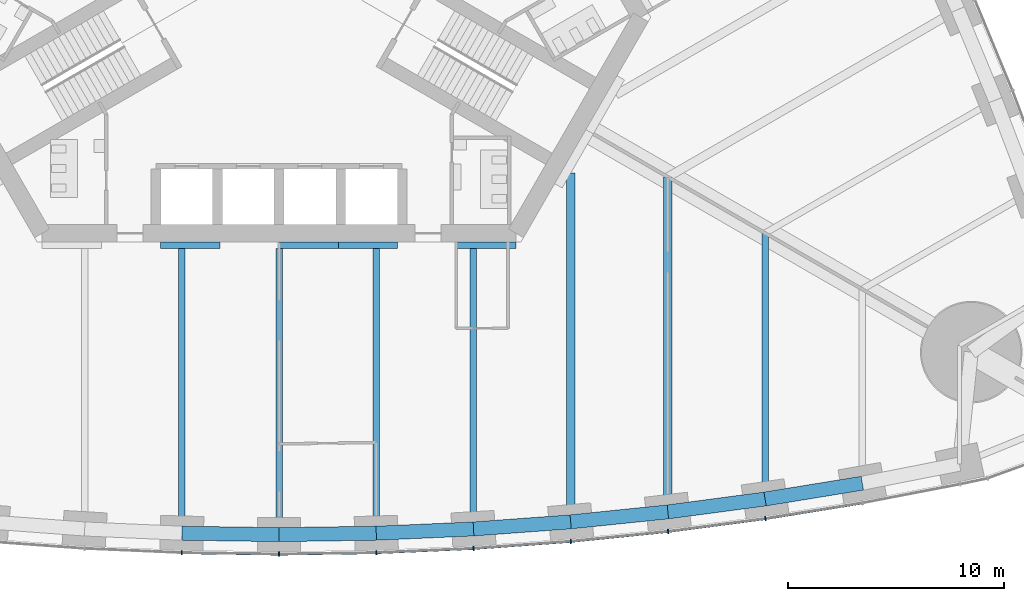
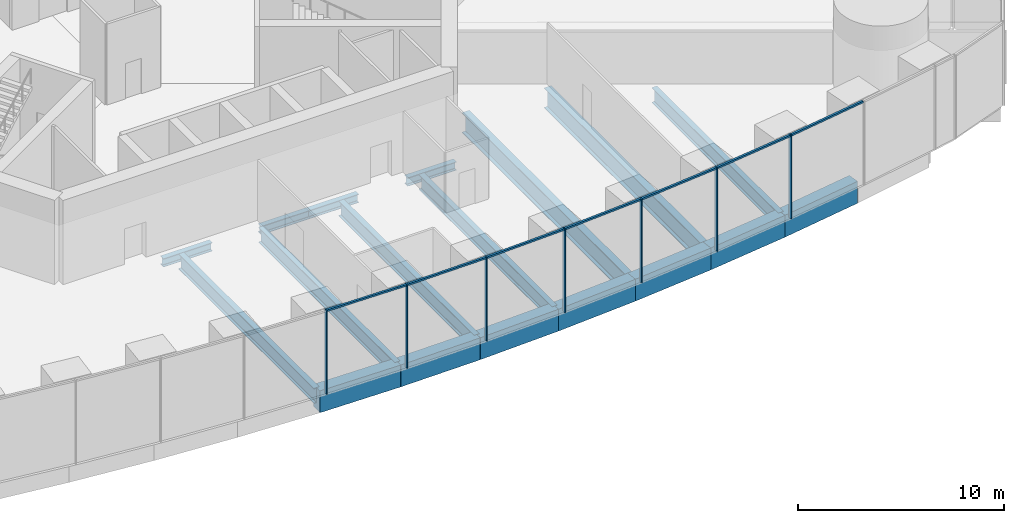
# One storey, part 5 of 21: 18 beams, 14 members, 1 element without a shape of its own.
"""IFC4 building model written with IfcOpenShell, lengths in metres."""

from ifc_helpers import new_model, si_unit, direction, frame, origin, origin_2d, place, context, subcontext, project, spatial, rectangle, i_section, extrude, material, material_profile, profile_set, type_object, element, aggregate, save


model = new_model("IFC4")

# Units and contexts
model_context = context("Model", 3, precision=1e-05, world=origin(), true_north=direction((0.0, 1.0)))
body_context = subcontext(model_context, "Body", "Model", "MODEL_VIEW")
ifc_project = project(units=[si_unit("LENGTHUNIT", "METRE"), si_unit("AREAUNIT", "SQUARE_METRE"), si_unit("VOLUMEUNIT", "CUBIC_METRE"), si_unit("PLANEANGLEUNIT", "RADIAN"), si_unit("MASSUNIT", "GRAM", prefix="KILO")], contexts=[model_context])

# Site, building, storey
site_placement = place(None, origin())
site = spatial("IfcSite", under=ifc_project, at=site_placement, CompositionType="ELEMENT")
building_placement = place(site_placement, origin())
building = spatial("IfcBuilding", under=site, at=building_placement, Name="Trefoil Bronze Tower", CompositionType="ELEMENT")
storey_placement = place(building_placement, frame((0.0, 0.0, 6.5)))
storey = spatial("IfcBuildingStorey", under=building, at=storey_placement, Name="L01", CompositionType="ELEMENT", Elevation=6.5)

# Curtain wall, members
ifc_material_1 = material(Name="Tinted solar-control glass", Category="glass")
curtain_wall_type = type_object("IfcCurtainWallType", Name="Bronze podium storefront curtain wall", PredefinedType="USERDEFINED", material=ifc_material_1)
curtain_wall_placement = place(storey_placement, origin())
curtain_wall = element("IfcCurtainWall", 1, at=curtain_wall_placement, inside=storey, type_object=curtain_wall_type, Name="CW-C L01 F1", ObjectType="CURTAIN WALL", PredefinedType="USERDEFINED")
ifc_material_2 = material(Name="Bronze-finish aluminium", Category="aluminium")
ifc_material_profile_1 = material_profile(ifc_material_2, rectangle(XDim=0.199951171875, YDim=0.06005859375, at=origin_2d()), Name="CW-C mullion")
ifc_profile_set_1 = profile_set([ifc_material_profile_1], Name="Bronze-finish aluminium")
member_type_1 = type_object("IfcMemberType", Name="Bronze podium storefront curtain wall mullion", PredefinedType="MULLION", material=ifc_profile_set_1)
member_1_placement = place(storey_placement, frame((-4.5029296875, -27.783447265625, 0.0), z_axis=(0.0, 0.0, 1.0), x_axis=(0.029021671584, 0.999578782577, 0.0)))
member_1 = element("IfcMember", 2, at=member_1_placement, type_object=member_type_1, Name="CW-C L01 F1 mullion 8", PredefinedType="MULLION", context=body_context, shape_type="SweptSolid", body=[
    extrude(rectangle(XDim=0.199951171875, YDim=0.06005859375, at=origin_2d()), origin(), (0.0, 0.0, 1.0), 4.97998046875),
])
member_2_placement = place(storey_placement, frame((0.0, -27.8486328125, 0.0), z_axis=(0.0, 0.0, 1.0), x_axis=(0.0, 1.0, 0.0)))
member_2 = element("IfcMember", 3, at=member_2_placement, type_object=member_type_1, Name="CW-C L01 F1 mullion 9", PredefinedType="MULLION", context=body_context, shape_type="SweptSolid", body=[
    extrude(rectangle(XDim=0.199951171875, YDim=0.06005859375, at=origin_2d()), origin(), (0.0, 0.0, 1.0), 4.97998046875),
])
member_3_placement = place(storey_placement, frame((4.5029296875, -27.783447265625, 0.0), z_axis=(0.0, 0.0, 1.0), x_axis=(-0.029021671584, 0.999578782577, 0.0)))
member_3 = element("IfcMember", 4, at=member_3_placement, type_object=member_type_1, Name="CW-C L01 F1 mullion 10", PredefinedType="MULLION", context=body_context, shape_type="SweptSolid", body=[
    extrude(rectangle(XDim=0.199951171875, YDim=0.06005859375, at=origin_2d()), origin(), (0.0, 0.0, 1.0), 4.97998046875),
])
member_4_placement = place(storey_placement, frame((9.005859375, -27.587158203125, 0.0), z_axis=(0.0, 0.0, 1.0), x_axis=(-0.058043374207, 0.998314062162, 0.0)))
member_4 = element("IfcMember", 5, at=member_4_placement, type_object=member_type_1, Name="CW-C L01 F1 mullion 11", PredefinedType="MULLION", context=body_context, shape_type="SweptSolid", body=[
    extrude(rectangle(XDim=0.199951171875, YDim=0.06005859375, at=origin_2d()), origin(), (0.0, 0.0, 1.0), 4.97998046875),
])
member_5_placement = place(storey_placement, frame((13.5087890625, -27.259765625, 0.0), z_axis=(0.0, 0.0, 1.0), x_axis=(-0.087065139456, 0.996202620701, 0.0)))
member_5 = element("IfcMember", 6, at=member_5_placement, type_object=member_type_1, Name="CW-C L01 F1 mullion 12", PredefinedType="MULLION", context=body_context, shape_type="SweptSolid", body=[
    extrude(rectangle(XDim=0.199951171875, YDim=0.06005859375, at=origin_2d()), origin(), (0.0, 0.0, 1.0), 4.97998046875),
])
member_6_placement = place(storey_placement, frame((18.01171875, -26.800048828125, 0.0), z_axis=(0.0, 0.0, 1.0), x_axis=(-0.116086999973, 0.993239048989, 0.0)))
member_6 = element("IfcMember", 7, at=member_6_placement, type_object=member_type_1, Name="CW-C L01 F1 mullion 13", PredefinedType="MULLION", context=body_context, shape_type="SweptSolid", body=[
    extrude(rectangle(XDim=0.199951171875, YDim=0.06005859375, at=origin_2d()), origin(), (0.0, 0.0, 1.0), 4.97998046875),
])
member_7_placement = place(storey_placement, frame((22.514404296875, -26.206787109375, 0.0), z_axis=(0.0, 0.0, 1.0), x_axis=(-0.145108990094, 0.989415676546, 0.0)))
member_7 = element("IfcMember", 8, at=member_7_placement, type_object=member_type_1, Name="CW-C L01 F1 mullion 14", PredefinedType="MULLION", context=body_context, shape_type="SweptSolid", body=[
    extrude(rectangle(XDim=0.199951171875, YDim=0.06005859375, at=origin_2d()), origin(), (0.0, 0.0, 1.0), 4.97998046875),
])
ifc_material_3 = material(Name="Bronze-finish aluminium", Category="aluminium")
ifc_material_profile_2 = material_profile(ifc_material_3, rectangle(XDim=0.1201171875, YDim=0.10009765625, at=origin_2d()), Name="CW-C transom")
ifc_profile_set_2 = profile_set([ifc_material_profile_2], Name="Bronze-finish aluminium")
member_type_2 = type_object("IfcMemberType", Name="Bronze podium storefront curtain wall transom", PredefinedType="USERDEFINED", material=ifc_profile_set_2)
member_8_placement = place(storey_placement, frame((-4.471435546875, -27.783935546875, 4.929931640625), z_axis=(0.999895446395, -0.014460161795, 0.0), x_axis=(0.014460161795, 0.999895446395, 0.0)))
member_8 = element("IfcMember", 9, at=member_8_placement, type_object=member_type_2, Name="CW-C L01 F1 transom 8", ObjectType="TRANSOM", PredefinedType="USERDEFINED", context=body_context, shape_type="SweptSolid", body=[
    extrude(rectangle(XDim=0.1201171875, YDim=0.10009765625, at=origin_2d()), origin(), (0.0, 0.0, 1.0), 4.4404296875),
])
member_9_placement = place(storey_placement, frame((0.031494140625, -27.84814453125, 4.929931640625), z_axis=(0.999895446395, 0.014460161795, 0.0), x_axis=(-0.014460161795, 0.999895446395, 0.0)))
member_9 = element("IfcMember", 10, at=member_9_placement, type_object=member_type_2, Name="CW-C L01 F1 transom 9", ObjectType="TRANSOM", PredefinedType="USERDEFINED", context=body_context, shape_type="SweptSolid", body=[
    extrude(rectangle(XDim=0.1201171875, YDim=0.10009765625, at=origin_2d()), origin(), (0.0, 0.0, 1.0), 4.4404296875),
])
member_10_placement = place(storey_placement, frame((4.534423828125, -27.781982421875, 4.929931640625), z_axis=(0.999053046251, 0.043508743684, 0.0), x_axis=(-0.043508743684, 0.999053046251, 0.0)))
member_10 = element("IfcMember", 11, at=member_10_placement, type_object=member_type_2, Name="CW-C L01 F1 transom 10", ObjectType="TRANSOM", PredefinedType="USERDEFINED", context=body_context, shape_type="SweptSolid", body=[
    extrude(rectangle(XDim=0.1201171875, YDim=0.10009765625, at=origin_2d()), origin(), (0.0, 0.0, 1.0), 4.444091796875),
])
member_11_placement = place(storey_placement, frame((9.037109375, -27.5849609375, 4.929931640625), z_axis=(0.997364590548, 0.072552556953, 0.0), x_axis=(-0.072552556953, 0.997364590548, 0.0)))
member_11 = element("IfcMember", 12, at=member_11_placement, type_object=member_type_2, Name="CW-C L01 F1 transom 11", ObjectType="TRANSOM", PredefinedType="USERDEFINED", context=body_context, shape_type="SweptSolid", body=[
    extrude(rectangle(XDim=0.1201171875, YDim=0.10009765625, at=origin_2d()), origin(), (0.0, 0.0, 1.0), 4.451904296875),
])
member_12_placement = place(storey_placement, frame((13.5400390625, -27.25634765625, 4.929931640625), z_axis=(0.994833127844, 0.101523631455, 0.0), x_axis=(-0.101523631455, 0.994833127844, 0.0)))
member_12 = element("IfcMember", 13, at=member_12_placement, type_object=member_type_2, Name="CW-C L01 F1 transom 12", ObjectType="TRANSOM", PredefinedType="USERDEFINED", context=body_context, shape_type="SweptSolid", body=[
    extrude(rectangle(XDim=0.1201171875, YDim=0.10009765625, at=origin_2d()), origin(), (0.0, 0.0, 1.0), 4.463134765625),
])
member_13_placement = place(storey_placement, frame((18.042724609375, -26.7958984375, 4.929931640625), z_axis=(0.991435175775, 0.130599740566, 0.0), x_axis=(-0.130599740566, 0.991435175775, 0.0)))
member_13 = element("IfcMember", 14, at=member_13_placement, type_object=member_type_2, Name="CW-C L01 F1 transom 13", ObjectType="TRANSOM", PredefinedType="USERDEFINED", context=body_context, shape_type="SweptSolid", body=[
    extrude(rectangle(XDim=0.1201171875, YDim=0.10009765625, at=origin_2d()), origin(), (0.0, 0.0, 1.0), 4.47900390625),
])
member_14_placement = place(storey_placement, frame((22.545654296875, -26.201904296875, 4.929931640625), z_axis=(0.987178845657, 0.159618065043, 0.0), x_axis=(-0.159618065043, 0.987178845657, 0.0)))
member_14 = element("IfcMember", 15, at=member_14_placement, type_object=member_type_2, Name="CW-C L01 F1 transom 14", ObjectType="TRANSOM", PredefinedType="USERDEFINED", context=body_context, shape_type="SweptSolid", body=[
    extrude(rectangle(XDim=0.1201171875, YDim=0.10009765625, at=origin_2d()), origin(), (0.0, 0.0, 1.0), 4.498291015625),
])
aggregate(curtain_wall, [member_1, member_2, member_3, member_4, member_5, member_6, member_7, member_8, member_9, member_10, member_11, member_12, member_13, member_14])

# Beams
ifc_material_4 = material(Name="Steel C355", Category="steel")
ifc_material_profile_3 = material_profile(ifc_material_4, i_section(OverallWidth=0.300048828125, OverallDepth=0.5, WebThickness=0.014404296875, FlangeThickness=0.028076171875, FilletRadius=0.027099609375, at=origin_2d()), Name="HEB 500")
ifc_profile_set_3 = profile_set([ifc_material_profile_3], Name="Steel C355")
beam_type_1 = type_object("IfcBeamType", Name="Core seat beam HEB 500", PredefinedType="BEAM", material=ifc_profile_set_3)
for number, where, z_axis, x_axis, name in (
    (16, (-5.48486328125, -13.550048828125, -0.449951171875), (1.0, 0.0, 0.0), (0.0, 1.0, 0.0), "Core seat beam F1/-1 L01"),
    (17, (0.0, -13.550048828125, -0.449951171875), (1.0, 0.0, 0.0), (0.0, 1.0, 0.0), "Core seat beam F1/+0 L01"),
    (18, (2.742431640625, -13.550048828125, -0.449951171875), (1.0, 0.0, 0.0), (0.0, 1.0, 0.0), "Core seat beam F1/+1 L01"),
    (19, (8.227294921875, -13.550048828125, -0.449951171875), (1.0, 0.0, 0.0), (0.0, 1.0, 0.0), "Core seat beam F1/+2 L01"),
):
    element("IfcBeam", number, at=place(storey_placement, frame(where, z_axis=z_axis, x_axis=x_axis)), inside=storey, type_object=beam_type_1, Name=name, PredefinedType="BEAM", context=body_context, shape_type="SweptSolid", body=[
        extrude(i_section(OverallWidth=0.300048828125, OverallDepth=0.5, WebThickness=0.014404296875, FlangeThickness=0.028076171875, FilletRadius=0.027099609375, at=origin_2d()), origin(), (0.0, 0.0, 1.0), 2.742431640625),
    ])
ifc_material_5 = material(Name="Steel C355", Category="steel")
ifc_material_profile_4 = material_profile(ifc_material_5, i_section(OverallWidth=0.300048828125, OverallDepth=0.89990234375, WebThickness=0.0185546875, FlangeThickness=0.034912109375, FilletRadius=0.030029296875, at=origin_2d()), Name="HEB 900")
ifc_profile_set_4 = profile_set([ifc_material_profile_4], Name="Steel C355")
beam_type_2 = type_object("IfcBeamType", Name="Floor beam HEB 900", PredefinedType="BEAM", material=ifc_profile_set_4)
beam_1_placement = place(storey_placement, frame((-4.5, -26.883056640625, -0.64990234375), z_axis=(0.0, 1.0, 0.0), x_axis=(-1.0, 0.0, 0.0)))
element("IfcBeam", 20, at=beam_1_placement, inside=storey, type_object=beam_type_2, Name="Floor beam F1/-1 L01", PredefinedType="BEAM", context=body_context, shape_type="SweptSolid", body=[
    extrude(i_section(OverallWidth=0.300048828125, OverallDepth=0.89990234375, WebThickness=0.0185546875, FlangeThickness=0.034912109375, FilletRadius=0.030029296875, at=origin_2d()), origin(), (0.0, 0.0, 1.0), 13.18310546875),
])
beam_2_placement = place(storey_placement, frame((0.0, -26.94873046875, -0.64990234375), z_axis=(0.0, 1.0, 0.0), x_axis=(-1.0, 0.0, 0.0)))
element("IfcBeam", 21, at=beam_2_placement, inside=storey, type_object=beam_type_2, Name="Floor beam F1/+0 L01", PredefinedType="BEAM", context=body_context, shape_type="SweptSolid", body=[
    extrude(i_section(OverallWidth=0.300048828125, OverallDepth=0.89990234375, WebThickness=0.0185546875, FlangeThickness=0.034912109375, FilletRadius=0.030029296875, at=origin_2d()), origin(), (0.0, 0.0, 1.0), 13.248779296875),
])
beam_3_placement = place(storey_placement, frame((4.5, -26.883056640625, -0.64990234375), z_axis=(0.0, 1.0, 0.0), x_axis=(-1.0, 0.0, 0.0)))
element("IfcBeam", 22, at=beam_3_placement, inside=storey, type_object=beam_type_2, Name="Floor beam F1/+1 L01", PredefinedType="BEAM", context=body_context, shape_type="SweptSolid", body=[
    extrude(i_section(OverallWidth=0.300048828125, OverallDepth=0.89990234375, WebThickness=0.0185546875, FlangeThickness=0.034912109375, FilletRadius=0.030029296875, at=origin_2d()), origin(), (0.0, 0.0, 1.0), 13.18310546875),
])
beam_4_placement = place(storey_placement, frame((9.0, -26.68603515625, -0.64990234375), z_axis=(0.0, 1.0, 0.0), x_axis=(-1.0, 0.0, 0.0)))
element("IfcBeam", 23, at=beam_4_placement, inside=storey, type_object=beam_type_2, Name="Floor beam F1/+2 L01", PredefinedType="BEAM", context=body_context, shape_type="SweptSolid", body=[
    extrude(i_section(OverallWidth=0.300048828125, OverallDepth=0.89990234375, WebThickness=0.0185546875, FlangeThickness=0.034912109375, FilletRadius=0.030029296875, at=origin_2d()), origin(), (0.0, 0.0, 1.0), 12.986083984375),
])
beam_5_placement = place(storey_placement, frame((22.5, -25.29931640625, -0.64990234375), z_axis=(0.0, 1.0, 0.0), x_axis=(-1.0, 0.0, 0.0)))
element("IfcBeam", 24, at=beam_5_placement, inside=storey, type_object=beam_type_2, Name="Floor beam F1/+5 L01", PredefinedType="BEAM", context=body_context, shape_type="SweptSolid", body=[
    extrude(i_section(OverallWidth=0.300048828125, OverallDepth=0.89990234375, WebThickness=0.0185546875, FlangeThickness=0.034912109375, FilletRadius=0.030029296875, at=origin_2d()), origin(), (0.0, 0.0, 1.0), 12.308837890625),
])
ifc_material_6 = material(Name="Steel C355", Category="steel")
ifc_material_profile_5 = material_profile(ifc_material_6, i_section(OverallWidth=0.39990234375, OverallDepth=1.199951171875, WebThickness=0.02001953125, FlangeThickness=0.0400390625, FilletRadius=0.010009765625, at=origin_2d()), Name="WPG 1200")
ifc_profile_set_5 = profile_set([ifc_material_profile_5], Name="Steel C355")
beam_type_3 = type_object("IfcBeamType", Name="Floor beam WPG 1200", PredefinedType="BEAM", material=ifc_profile_set_5)
beam_6_placement = place(storey_placement, frame((13.5, -26.35693359375, -0.800048828125), z_axis=(0.0, 1.0, 0.0), x_axis=(-1.0, 0.0, 0.0)))
element("IfcBeam", 25, at=beam_6_placement, inside=storey, type_object=beam_type_3, Name="Floor beam F1/+3 L01", PredefinedType="BEAM", context=body_context, shape_type="SweptSolid", body=[
    extrude(i_section(OverallWidth=0.39990234375, OverallDepth=1.199951171875, WebThickness=0.02001953125, FlangeThickness=0.0400390625, FilletRadius=0.010009765625, at=origin_2d()), origin(), (0.0, 0.0, 1.0), 16.1396484375),
])
beam_7_placement = place(storey_placement, frame((18.0, -25.895263671875, -0.800048828125), z_axis=(0.0, 1.0, 0.0), x_axis=(-1.0, 0.0, 0.0)))
element("IfcBeam", 26, at=beam_7_placement, inside=storey, type_object=beam_type_3, Name="Floor beam F1/+4 L01", PredefinedType="BEAM", context=body_context, shape_type="SweptSolid", body=[
    extrude(i_section(OverallWidth=0.39990234375, OverallDepth=1.199951171875, WebThickness=0.02001953125, FlangeThickness=0.0400390625, FilletRadius=0.010009765625, at=origin_2d()), origin(), (0.0, 0.0, 1.0), 15.5029296875),
])
ifc_material_7 = material(Name="Concrete B80", Category="concrete")
ifc_material_profile_6 = material_profile(ifc_material_7, rectangle(XDim=0.64990234375, YDim=1.300048828125, at=origin_2d()), Name="RC 650x1300")
ifc_profile_set_6 = profile_set([ifc_material_profile_6], Name="Concrete B80")
beam_type_4 = type_object("IfcBeamType", Name="Spandrel beam RC 650x1300", PredefinedType="SPANDREL", material=ifc_profile_set_6)
for number, where, z_axis, x_axis, name in (
    (27, (-4.5, -26.883056640625, -0.85009765625), (0.999893521905, -0.014592630067, 0.0), (0.014592630067, 0.999893521905, 0.0), "Spandrel F1.8 L01"),
    (28, (0.0, -26.94873046875, -0.85009765625), (0.999893521905, 0.014592630067, 0.0), (-0.014592630067, 0.999893521905, 0.0), "Spandrel F1.9 L01"),
):
    element("IfcBeam", number, at=place(storey_placement, frame(where, z_axis=z_axis, x_axis=x_axis)), inside=storey, type_object=beam_type_4, Name=name, PredefinedType="SPANDREL", context=body_context, shape_type="SweptSolid", body=[
        extrude(rectangle(XDim=0.64990234375, YDim=1.300048828125, at=origin_2d()), origin(), (0.0, 0.0, 1.0), 4.50048828125),
    ])
beam_8_placement = place(storey_placement, frame((4.5, -26.883056640625, -0.85009765625), z_axis=(0.999042919826, 0.043740648671, 0.0), x_axis=(-0.043740648671, 0.999042919826, 0.0)))
element("IfcBeam", 29, at=beam_8_placement, inside=storey, type_object=beam_type_4, Name="Spandrel F1.10 L01", PredefinedType="SPANDREL", context=body_context, shape_type="SweptSolid", body=[
    extrude(rectangle(XDim=0.64990234375, YDim=1.300048828125, at=origin_2d()), origin(), (0.0, 0.0, 1.0), 4.50439453125),
])
beam_9_placement = place(storey_placement, frame((9.0, -26.68603515625, -0.85009765625), z_axis=(0.997336412354, 0.072938882588, 0.0), x_axis=(-0.072938882588, 0.997336412354, 0.0)))
element("IfcBeam", 30, at=beam_9_placement, inside=storey, type_object=beam_type_4, Name="Spandrel F1.11 L01", PredefinedType="SPANDREL", context=body_context, shape_type="SweptSolid", body=[
    extrude(rectangle(XDim=0.64990234375, YDim=1.300048828125, at=origin_2d()), origin(), (0.0, 0.0, 1.0), 4.511962890625),
])
beam_10_placement = place(storey_placement, frame((13.5, -26.35693359375, -0.85009765625), z_axis=(0.994778488621, 0.102057623805, 0.0), x_axis=(-0.102057623805, 0.994778488621, 0.0)))
element("IfcBeam", 31, at=beam_10_placement, inside=storey, type_object=beam_type_4, Name="Spandrel F1.12 L01", PredefinedType="SPANDREL", context=body_context, shape_type="SweptSolid", body=[
    extrude(rectangle(XDim=0.64990234375, YDim=1.300048828125, at=origin_2d()), origin(), (0.0, 0.0, 1.0), 4.523681640625),
])
beam_11_placement = place(storey_placement, frame((18.0, -25.895263671875, -0.85009765625), z_axis=(0.991344474846, 0.131286450906, 0.0), x_axis=(-0.131286450906, 0.991344474846, 0.0)))
element("IfcBeam", 32, at=beam_11_placement, inside=storey, type_object=beam_type_4, Name="Spandrel F1.13 L01", PredefinedType="SPANDREL", context=body_context, shape_type="SweptSolid", body=[
    extrude(rectangle(XDim=0.64990234375, YDim=1.300048828125, at=origin_2d()), origin(), (0.0, 0.0, 1.0), 4.539306640625),
])
beam_12_placement = place(storey_placement, frame((22.5, -25.29931640625, -0.85009765625), z_axis=(0.987045951254, 0.160437807615, 0.0), x_axis=(-0.160437807615, 0.987045951254, 0.0)))
element("IfcBeam", 33, at=beam_12_placement, inside=storey, type_object=beam_type_4, Name="Spandrel F1.14 L01", PredefinedType="SPANDREL", context=body_context, shape_type="SweptSolid", body=[
    extrude(rectangle(XDim=0.64990234375, YDim=1.300048828125, at=origin_2d()), origin(), (0.0, 0.0, 1.0), 4.55908203125),
])

save(model, "model.ifc")
